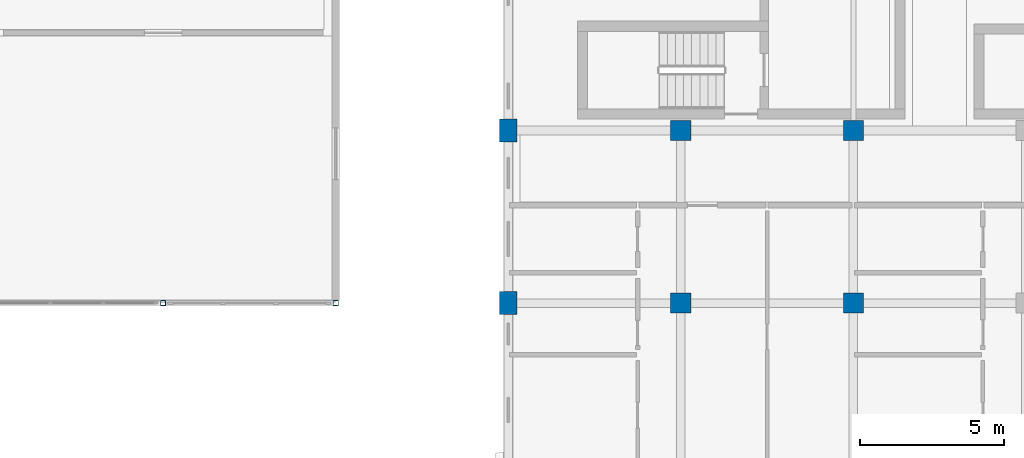
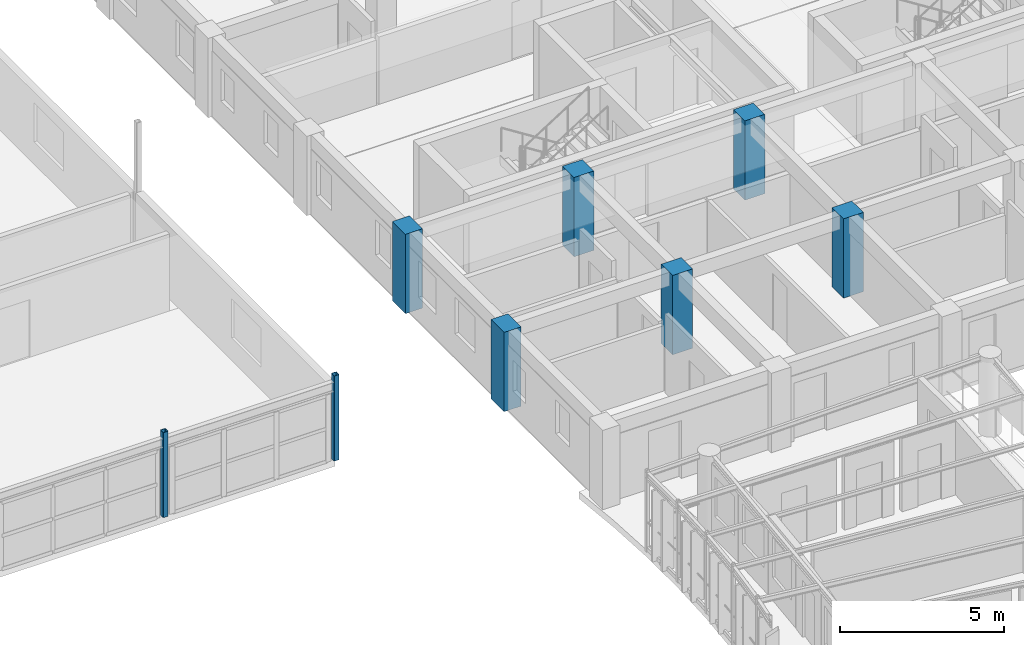
# One storey, part 6 of 137: 8 columns.
"""IFC4 building model written with IfcOpenShell, lengths in metres."""

import ifcopenshell
import ifcopenshell.guid

model = None  # the IFC model being written
_history = None  # IfcOwnerHistory: only IFC2X3 demands one
_inside = {}  # id of a spatial element -> (the spatial element, [elements in it])
_under = {}  # id of a project, library or spatial element -> (it, [spatial elements below it])
_declared = {}  # id of a project -> (the project, [libraries it declares])
_typed = {}  # id of a type object -> (the type object, [elements of that type])
_made_of = {}  # id of a material, layer set ... -> (it, [elements and type objects made of it])


def new_model(schema):
    """Start an empty IFC model of exactly this schema.

    Asked for "IFC4X3", IfcOpenShell would pick the latest addendum, in which some entities
    have other attributes; the version numbers below select the first issue.
    IFC2X3 requires an IfcOwnerHistory on every rooted entity: one is made here for all.
    """
    global model, _history
    if schema == "IFC4X3":
        model = ifcopenshell.file(schema_version=(4, 3, 0, 0))
    else:
        model = ifcopenshell.file(schema=schema)
    _inside.clear()
    _under.clear()
    _declared.clear()
    _typed.clear()
    _made_of.clear()
    _history = None
    if model.schema == "IFC2X3":
        org = make("IfcOrganization", Name="unknown")
        user = make(
            "IfcPersonAndOrganization",
            ThePerson=make("IfcPerson", FamilyName="unknown"),
            TheOrganization=org,
        )
        app = make(
            "IfcApplication",
            ApplicationDeveloper=org,
            Version="unknown",
            ApplicationFullName="unknown",
            ApplicationIdentifier="unknown",
        )
        _history = make(
            "IfcOwnerHistory",
            OwningUser=user,
            OwningApplication=app,
            ChangeAction="ADDED",
            CreationDate=0,
        )
    return model


def make(cls, **values):
    """One entity of the class cls with the attributes given. An attribute that is None is left unset."""
    return model.create_entity(
        cls, **{name: value for name, value in values.items() if value is not None}
    )


def rooted(cls, **values):
    """An entity with a GlobalId (a new one), such as an element, a storey or a relation."""
    return make(cls, GlobalId=ifcopenshell.guid.new(), OwnerHistory=_history, **values)


def si_unit(unit_type, name, prefix=None):
    """IfcSIUnit, for example si_unit("LENGTHUNIT", "METRE", prefix="MILLI")."""
    return make("IfcSIUnit", UnitType=unit_type, Prefix=prefix, Name=name)


def assignment(units):
    """IfcUnitAssignment: the units of a project."""
    return None if units is None else make("IfcUnitAssignment", Units=units)


def point(xyz):
    """IfcCartesianPoint."""
    return None if xyz is None else make("IfcCartesianPoint", Coordinates=xyz)


def direction(xyz):
    """IfcDirection."""
    return None if xyz is None else make("IfcDirection", DirectionRatios=xyz)


def frame(location, z_axis=None, x_axis=None):
    """IfcAxis2Placement3D, a coordinate frame: its origin and axes. An axis left out is left unset."""
    return make(
        "IfcAxis2Placement3D",
        Location=point(location),
        Axis=direction(z_axis),
        RefDirection=direction(x_axis),
    )


def frame_2d(location, x_axis=None):
    """IfcAxis2Placement2D, a coordinate frame in the plane: its origin and x axis."""
    return make(
        "IfcAxis2Placement2D", Location=point(location), RefDirection=direction(x_axis)
    )


def origin():
    """The frame at (0, 0, 0) with its axes left unset."""
    return frame((0.0, 0.0, 0.0))


def origin_2d():
    """The frame at (0, 0) in the plane with its x axis left unset."""
    return frame_2d((0.0, 0.0))


def place(relative_to, where):
    """IfcLocalPlacement: puts the frame where relative to a parent placement (None: the world)."""
    return make(
        "IfcLocalPlacement", PlacementRelTo=relative_to, RelativePlacement=where
    )


def context(
    kind, dimensions, precision=None, world=None, true_north=None, identifier=None
):
    """IfcGeometricRepresentationContext, for example the 3D "Model" context."""
    return make(
        "IfcGeometricRepresentationContext",
        ContextIdentifier=identifier,
        ContextType=kind,
        CoordinateSpaceDimension=dimensions,
        Precision=precision,
        WorldCoordinateSystem=world,
        TrueNorth=true_north,
    )


def subcontext(parent, identifier, kind, view, scale=None):
    """IfcGeometricRepresentationSubContext, for example "Body" below "Model"."""
    return make(
        "IfcGeometricRepresentationSubContext",
        ContextIdentifier=identifier,
        ContextType=kind,
        ParentContext=parent,
        TargetScale=scale,
        TargetView=view,
    )


def project(units=None, contexts=None):
    """IfcProject with its units and contexts."""
    return rooted(
        "IfcProject",
        Name="project",
        RepresentationContexts=contexts,
        UnitsInContext=assignment(units),
    )


def spatial(cls, under=None, at=None, **own):
    """A site, building, storey or space (cls), placed at a placement, below another one or the project."""
    s = rooted(cls, ObjectPlacement=at, **own)
    if under is not None:
        _under.setdefault(under.id(), (under, []))[1].append(s)
    return s


def profile(cls, at=None, kind="AREA", **sizes):
    """A parametric profile (cls). Its sizes go by their IFC names, for example OverallWidth=200.0."""
    return make(cls, ProfileType=kind, Position=at, **sizes)


def rectangle(**sizes):
    """IfcRectangleProfileDef."""
    return profile("IfcRectangleProfileDef", **sizes)


def hollow_rectangle(**sizes):
    """IfcRectangleHollowProfileDef."""
    return profile("IfcRectangleHollowProfileDef", **sizes)


def extrude(swept, where, along, depth):
    """IfcExtrudedAreaSolid: the profile swept, set in the frame where, extruded along a direction by depth."""
    return make(
        "IfcExtrudedAreaSolid",
        SweptArea=swept,
        Position=where,
        ExtrudedDirection=direction(along),
        Depth=depth,
    )


def shape(context_of_items, identifier, shape_type, items):
    """IfcShapeRepresentation: the items that make up one representation, for example the "Body"."""
    return make(
        "IfcShapeRepresentation",
        ContextOfItems=context_of_items,
        RepresentationIdentifier=identifier,
        RepresentationType=shape_type,
        Items=items,
    )


def material(Name=None, Category=None):
    """IfcMaterial."""
    return make("IfcMaterial", Name=Name, Category=Category)


def material_profile(
    of_material, cross_section, Name=None, Category=None, Priority=None
):
    """IfcMaterialProfile: a cross section and its material."""
    return make(
        "IfcMaterialProfile",
        Name=Name,
        Material=of_material,
        Profile=cross_section,
        Priority=Priority,
        Category=Category,
    )


def profile_set(profiles, Name=None, composite=None):
    """IfcMaterialProfileSet."""
    return make(
        "IfcMaterialProfileSet",
        Name=Name,
        MaterialProfiles=profiles,
        CompositeProfile=composite,
    )


def made_of(thing, what):
    """Note that an element or type object is made of a material, layer set ...; save() writes the relation."""
    if what is not None:
        _made_of.setdefault(what.id(), (what, []))[1].append(thing)
    return thing


def type_object(cls, material=None, **own):
    """A type object (cls), such as IfcWallType, which elements share."""
    return made_of(rooted(cls, **own), material)


def element(
    cls,
    number,
    at=None,
    inside=None,
    cuts=None,
    type_object=None,
    material=None,
    context=None,
    identifier="Body",
    shape_type=None,
    held_by="IfcProductDefinitionShape",
    body=None,
    shapes=None,
    **own,
):
    """One element of the class cls, such as IfcWall. Its Tag is "e" and its number.

    at: its placement. inside: the storey or other place that contains it. cuts: it is an
    opening in that element (IfcRelVoidsElement). A single representation is given by context,
    identifier, shape_type and body (its items); several are given by shapes. held_by: the class
    of the entity that holds the representations. save() writes the other relations.
    """
    e = rooted(cls, Tag="e%d" % number, ObjectPlacement=at, **own)
    if body is not None:
        shapes = [shape(context, identifier, shape_type, body)]
    if shapes is not None:
        e.Representation = make(held_by, Representations=shapes)
    if inside is not None:
        _inside.setdefault(inside.id(), (inside, []))[1].append(e)
    if cuts is not None:
        rooted(
            "IfcRelVoidsElement", RelatingBuildingElement=cuts, RelatedOpeningElement=e
        )
    if type_object is not None:
        _typed.setdefault(type_object.id(), (type_object, []))[1].append(e)
    return made_of(e, material)


def aggregate(whole, parts):
    """IfcRelAggregates: a whole, such as a stair, and the parts it consists of."""
    return rooted("IfcRelAggregates", RelatingObject=whole, RelatedObjects=parts)


def save(model, path):
    """Write the relations noted so far, then the file.

    IfcRelAggregates (storeys below a building ...), IfcRelContainedInSpatialStructure (elements
    in a storey), IfcRelDefinesByType, IfcRelAssociatesMaterial and IfcRelDeclares: one each for
    every whole, place, type object, material and project.
    """
    for whole, parts in _under.values():
        aggregate(whole, parts)
    for where, things in _inside.values():
        rooted(
            "IfcRelContainedInSpatialStructure",
            RelatedElements=things,
            RelatingStructure=where,
        )
    for kind, things in _typed.values():
        rooted("IfcRelDefinesByType", RelatedObjects=things, RelatingType=kind)
    for what, things in _made_of.values():
        rooted("IfcRelAssociatesMaterial", RelatedObjects=things, RelatingMaterial=what)
    for by, libraries in _declared.values():
        rooted("IfcRelDeclares", RelatingContext=by, RelatedDefinitions=libraries)
    model.write(path)


model = new_model("IFC4")

# Units and contexts
model_context = context("Model", 3, precision=1e-05, world=origin(), true_north=direction((0.0, 1.0)))
body_context = subcontext(model_context, "Body", "Model", "MODEL_VIEW")
ifc_project = project(units=[si_unit("LENGTHUNIT", "METRE"), si_unit("AREAUNIT", "SQUARE_METRE"), si_unit("VOLUMEUNIT", "CUBIC_METRE"), si_unit("PLANEANGLEUNIT", "RADIAN"), si_unit("MASSUNIT", "GRAM", prefix="KILO"), si_unit("POWERUNIT", "WATT"), si_unit("THERMODYNAMICTEMPERATUREUNIT", "KELVIN")], contexts=[model_context])

# Site, building, storey
site_placement = place(None, origin())
site = spatial("IfcSite", under=ifc_project, at=site_placement, CompositionType="ELEMENT")
building_placement = place(site_placement, origin())
building = spatial("IfcBuilding", under=site, at=building_placement, Name="Ruvembo Vaulted Housing Court", CompositionType="ELEMENT")
storey_placement = place(building_placement, frame((0.0, 0.0, 4.5)))
storey = spatial("IfcBuildingStorey", under=building, at=storey_placement, Name="L01", CompositionType="ELEMENT", Elevation=4.5)

# Columns
ifc_material_1 = material(Name="Concrete C40/50", Category="concrete")
ifc_material_profile_1 = material_profile(ifc_material_1, rectangle(XDim=0.60009765625, YDim=0.800048828125, at=origin_2d()), Name="RC 600x800")
ifc_profile_set_1 = profile_set([ifc_material_profile_1], Name="Concrete C40/50")
column_type_1 = type_object("IfcColumnType", Name="COL-RC-600x800", PredefinedType="COLUMN", material=ifc_profile_set_1)
for number, where, z_axis, x_axis, name in (
    (1, (48.0, 84.0, 0.0), (0.0, 0.0, 1.0), (1.0, 0.0, 0.0), "L01 Column (48,84)"),
    (2, (48.0, 90.0, 0.0), (0.0, 0.0, 1.0), (1.0, 0.0, 0.0), "L01 Column (48,90)"),
):
    element("IfcColumn", number, at=place(storey_placement, frame(where, z_axis=z_axis, x_axis=x_axis)), inside=storey, type_object=column_type_1, Name=name, PredefinedType="COLUMN", context=body_context, shape_type="SweptSolid", body=[
        extrude(rectangle(XDim=0.60009765625, YDim=0.800048828125, at=origin_2d()), origin(), (0.0, 0.0, 1.0), 2.945068359375),
    ])
ifc_material_profile_2 = material_profile(ifc_material_1, rectangle(XDim=0.699951171875, YDim=0.699951171875, at=origin_2d()), Name="RC 700x700")
ifc_profile_set_2 = profile_set([ifc_material_profile_2], Name="Concrete C40/50")
column_type_2 = type_object("IfcColumnType", Name="COL-RC-700", PredefinedType="COLUMN", material=ifc_profile_set_2)
for number, where, z_axis, x_axis, name in (
    (3, (54.0, 84.0, 0.0), (0.0, 0.0, 1.0), (1.0, 0.0, 0.0), "L01 Column (54,84)"),
    (4, (54.0, 90.0, 0.0), (0.0, 0.0, 1.0), (1.0, 0.0, 0.0), "L01 Column (54,90)"),
    (5, (60.0, 84.0, 0.0), (0.0, 0.0, 1.0), (1.0, 0.0, 0.0), "L01 Column (60,84)"),
    (6, (60.0, 90.0, 0.0), (0.0, 0.0, 1.0), (1.0, 0.0, 0.0), "L01 Column (60,90)"),
):
    element("IfcColumn", number, at=place(storey_placement, frame(where, z_axis=z_axis, x_axis=x_axis)), inside=storey, type_object=column_type_2, Name=name, PredefinedType="COLUMN", context=body_context, shape_type="SweptSolid", body=[
        extrude(rectangle(XDim=0.699951171875, YDim=0.699951171875, at=origin_2d()), origin(), (0.0, 0.0, 1.0), 2.945068359375),
    ])
ifc_material_2 = material(Name="Steel S355J2", Category="steel")
ifc_material_profile_3 = material_profile(ifc_material_2, hollow_rectangle(XDim=0.179931640625, YDim=0.179931640625, WallThickness=0.010009765625, InnerFilletRadius=0.010009765625, OuterFilletRadius=0.02001953125, at=origin_2d()), Name="SHS 180x180x10")
ifc_profile_set_3 = profile_set([ifc_material_profile_3], Name="Steel S355J2")
column_type_3 = type_object("IfcColumnType", Name="COL-ST-SHS180", PredefinedType="COLUMN", material=ifc_profile_set_3)
for number, where, z_axis, x_axis, name in (
    (7, (36.0, 84.0, 0.0), (0.0, 0.0, 1.0), (1.0, 0.0, 0.0), "L01 Column (36,84)"),
    (8, (42.0, 84.0, 0.0), (0.0, 0.0, 1.0), (1.0, 0.0, 0.0), "L01 Column (42,84)"),
):
    element("IfcColumn", number, at=place(storey_placement, frame(where, z_axis=z_axis, x_axis=x_axis)), inside=storey, type_object=column_type_3, Name=name, PredefinedType="COLUMN", context=body_context, shape_type="SweptSolid", body=[
        extrude(hollow_rectangle(XDim=0.179931640625, YDim=0.179931640625, WallThickness=0.010009765625, InnerFilletRadius=0.010009765625, OuterFilletRadius=0.02001953125, at=origin_2d()), origin(), (0.0, 0.0, 1.0), 3.159912109375),
    ])

save(model, "model.ifc")
